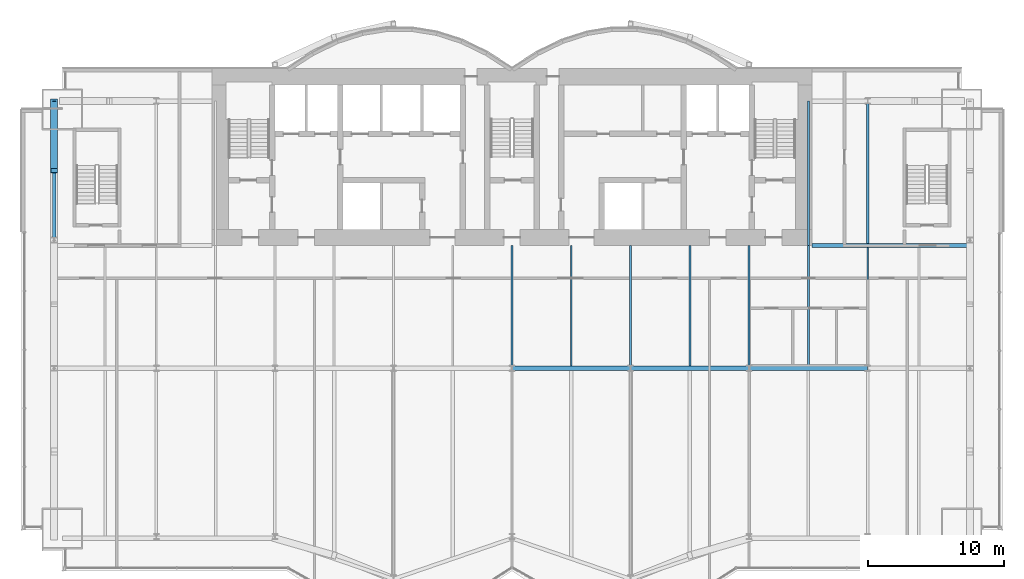
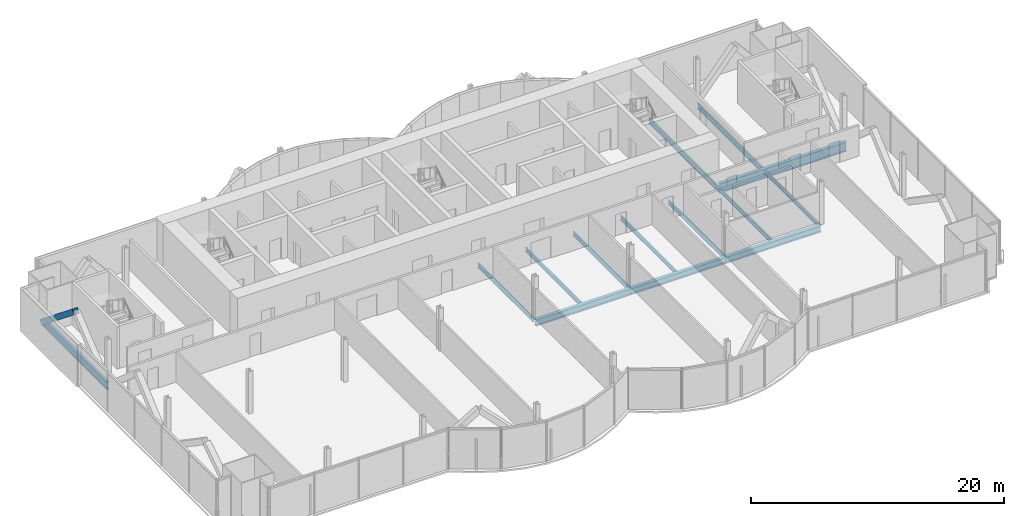
# One storey, part 9 of 21: 14 beams, 1 member.
"""IFC4 building model written with IfcOpenShell, lengths in metres."""

from ifc_helpers import new_model, si_unit, direction, frame, origin, origin_2d, place, context, subcontext, project, spatial, hollow_rectangle, i_section, extrude, material, material_profile, profile_set, type_object, element, save


model = new_model("IFC4")

# Units and contexts
model_context = context("Model", 3, precision=1e-05, world=origin(), true_north=direction((0.0, 1.0)))
body_context = subcontext(model_context, "Body", "Model", "MODEL_VIEW")
ifc_project = project(units=[si_unit("LENGTHUNIT", "METRE"), si_unit("AREAUNIT", "SQUARE_METRE"), si_unit("VOLUMEUNIT", "CUBIC_METRE"), si_unit("PLANEANGLEUNIT", "RADIAN"), si_unit("MASSUNIT", "GRAM", prefix="KILO")], contexts=[model_context])

# Site, building, storey
site_placement = place(None, origin())
site = spatial("IfcSite", under=ifc_project, at=site_placement, CompositionType="ELEMENT")
building_placement = place(site_placement, origin())
building = spatial("IfcBuilding", under=site, at=building_placement, Name="Bicima Exchange Tower", CompositionType="ELEMENT")
storey_placement = place(building_placement, frame((0.0, 0.0, 126.800048828125)))
storey = spatial("IfcBuildingStorey", under=building, at=storey_placement, Name="L27", CompositionType="ELEMENT", Elevation=126.800048828125)

# Beams
ifc_material_1 = material(Name="Steel ASTM A992 Gr 50", Category="steel")
ifc_material_profile_1 = material_profile(ifc_material_1, i_section(OverallWidth=0.3046875, OverallDepth=0.911865234375, WebThickness=0.015869140625, FlangeThickness=0.02392578125, at=origin_2d()))
ifc_profile_set_1 = profile_set([ifc_material_profile_1], Name="Steel ASTM A992 Gr 50")
beam_type_1 = type_object("IfcBeamType", Name="Core-line girder W36x150", PredefinedType="BEAM", material=ifc_profile_set_1)
beam_1_placement = place(storey_placement, frame((22.0, -13.0, -0.60595703125), z_axis=(1.0, 0.0, 0.0), x_axis=(0.0, 1.0, 0.0)))
element("IfcBeam", 1, at=beam_1_placement, inside=storey, type_object=beam_type_1, Name="Core-line girder", PredefinedType="BEAM", context=body_context, shape_type="SweptSolid", body=[
    extrude(i_section(OverallWidth=0.3046875, OverallDepth=0.911865234375, WebThickness=0.015869140625, FlangeThickness=0.02392578125, at=origin_2d()), origin(), (0.0, 0.0, 1.0), 11.60009765625),
])
ifc_material_profile_2 = material_profile(ifc_material_1, i_section(OverallWidth=0.256591796875, OverallDepth=0.693359375, WebThickness=0.014404296875, FlangeThickness=0.023681640625, at=origin_2d()))
ifc_profile_set_2 = profile_set([ifc_material_profile_2], Name="Steel ASTM A992 Gr 50")
beam_type_2 = type_object("IfcBeamType", Name="End girder W27x114", PredefinedType="BEAM", material=ifc_profile_set_2)
beam_2_placement = place(storey_placement, frame((-33.60009765625, -2.39990234375, -0.496826171875), z_axis=(0.0, -1.0, 0.0), x_axis=(1.0, 0.0, 0.0)))
element("IfcBeam", 2, at=beam_2_placement, inside=storey, type_object=beam_type_2, Name="End girder", PredefinedType="BEAM", context=body_context, shape_type="SweptSolid", body=[
    extrude(i_section(OverallWidth=0.256591796875, OverallDepth=0.693359375, WebThickness=0.014404296875, FlangeThickness=0.023681640625, at=origin_2d()), origin(), (0.0, 0.0, 1.0), 10.2001953125),
])
ifc_material_profile_3 = material_profile(ifc_material_1, i_section(OverallWidth=0.140380859375, OverallDepth=0.40380859375, WebThickness=0.007080078125, FlangeThickness=0.01123046875, at=origin_2d()))
ifc_profile_set_3 = profile_set([ifc_material_profile_3], Name="Steel ASTM A992 Gr 50")
beam_type_3 = type_object("IfcBeamType", Name="Floor beam W16x31", PredefinedType="JOIST", material=ifc_profile_set_3)
for number, where, z_axis, x_axis, name in (
    (3, (0.0, -13.0, -0.35205078125), (0.0, -1.0, 0.0), (1.0, 0.0, 0.0), "Floor beam"),
    (4, (4.35009765625, -13.0, -0.35205078125), (0.0, -1.0, 0.0), (1.0, 0.0, 0.0), "Floor beam"),
    (5, (8.699951171875, -13.0, -0.35205078125), (0.0, -1.0, 0.0), (1.0, 0.0, 0.0), "Floor beam"),
    (6, (13.050048828125, -13.0, -0.35205078125), (0.0, -1.0, 0.0), (1.0, 0.0, 0.0), "Floor beam"),
    (7, (17.39990234375, -13.0, -0.35205078125), (0.0, -1.0, 0.0), (1.0, 0.0, 0.0), "Floor beam"),
    (8, (21.75, -13.0, -0.35205078125), (0.0, -1.0, 0.0), (1.0, 0.0, 0.0), "Floor beam"),
):
    element("IfcBeam", number, at=place(storey_placement, frame(where, z_axis=z_axis, x_axis=x_axis)), inside=storey, type_object=beam_type_3, Name=name, PredefinedType="JOIST", context=body_context, shape_type="SweptSolid", body=[
        extrude(i_section(OverallWidth=0.140380859375, OverallDepth=0.40380859375, WebThickness=0.007080078125, FlangeThickness=0.01123046875, at=origin_2d()), origin(), (0.0, 0.0, 1.0), 8.83740234375),
    ])
beam_3_placement = place(storey_placement, frame((26.10009765625, -13.15234375, -0.35205078125), z_axis=(0.0, -1.0, 0.0), x_axis=(1.0, 0.0, 0.0)))
element("IfcBeam", 9, at=beam_3_placement, inside=storey, type_object=beam_type_3, Name="Floor beam", PredefinedType="JOIST", context=body_context, shape_type="SweptSolid", body=[
    extrude(i_section(OverallWidth=0.140380859375, OverallDepth=0.40380859375, WebThickness=0.007080078125, FlangeThickness=0.01123046875, at=origin_2d()), origin(), (0.0, 0.0, 1.0), 8.68505859375),
])
ifc_material_profile_4 = material_profile(ifc_material_1, i_section(OverallWidth=0.165771484375, OverallDepth=0.5283203125, WebThickness=0.009765625, FlangeThickness=0.013671875, at=origin_2d()))
ifc_profile_set_4 = profile_set([ifc_material_profile_4], Name="Steel ASTM A992 Gr 50")
beam_type_4 = type_object("IfcBeamType", Name="Floor beam W21x50", PredefinedType="JOIST", material=ifc_profile_set_4)
beam_4_placement = place(storey_placement, frame((21.75, -2.39990234375, -0.414306640625), z_axis=(0.0, -1.0, 0.0), x_axis=(1.0, 0.0, 0.0)))
element("IfcBeam", 10, at=beam_4_placement, inside=storey, type_object=beam_type_4, Name="Floor beam", PredefinedType="JOIST", context=body_context, shape_type="SweptSolid", body=[
    extrude(i_section(OverallWidth=0.165771484375, OverallDepth=0.5283203125, WebThickness=0.009765625, FlangeThickness=0.013671875, at=origin_2d()), origin(), (0.0, 0.0, 1.0), 10.60009765625),
])
beam_5_placement = place(storey_placement, frame((26.10009765625, -2.5625, -0.414306640625), z_axis=(0.0, -1.0, 0.0), x_axis=(1.0, 0.0, 0.0)))
element("IfcBeam", 11, at=beam_5_placement, inside=storey, type_object=beam_type_4, Name="Floor beam", PredefinedType="JOIST", context=body_context, shape_type="SweptSolid", body=[
    extrude(i_section(OverallWidth=0.165771484375, OverallDepth=0.5283203125, WebThickness=0.009765625, FlangeThickness=0.013671875, at=origin_2d()), origin(), (0.0, 0.0, 1.0), 10.28515625),
])

# Member
ifc_material_2 = material(Name="Steel ASTM A572 Gr 50", Category="steel")
ifc_material_profile_5 = material_profile(ifc_material_2, hollow_rectangle(XDim=0.508056640625, YDim=0.508056640625, WallThickness=0.0146484375, at=origin_2d()))
ifc_profile_set_5 = profile_set([ifc_material_profile_5], Name="Steel ASTM A572 Gr 50")
member_type = type_object("IfcMemberType", Name="Mega brace HSS20x20x5/8", PredefinedType="BRACE", material=ifc_profile_set_5)
member_placement = place(storey_placement, frame((-33.60009765625, -2.39990234375, -0.496826171875), z_axis=(0.0, -0.779374241895, 0.626558689247), x_axis=(1.0, 0.0, 0.0)))
element("IfcMember", 12, at=member_placement, inside=storey, type_object=member_type, Name="Mega brace west end", PredefinedType="BRACE", context=body_context, shape_type="SweptSolid", body=[
    extrude(hollow_rectangle(XDim=0.508056640625, YDim=0.508056640625, WallThickness=0.0146484375, at=origin_2d()), origin(), (0.0, 0.0, 1.0), 6.5439453125),
])

# Beams
ifc_material_profile_6 = material_profile(ifc_material_1, i_section(OverallWidth=0.3251953125, OverallDepth=0.612060546875, WebThickness=0.0126953125, FlangeThickness=0.01904296875, at=origin_2d()))
ifc_profile_set_6 = profile_set([ifc_material_profile_6], Name="Steel ASTM A992 Gr 50")
beam_type_5 = type_object("IfcBeamType", Name="Row girder W24x104", PredefinedType="BEAM", material=ifc_profile_set_6)
for number, where, z_axis, x_axis, name in (
    (13, (0.0, -22.0, -0.4560546875), (1.0, 0.0, 0.0), (0.0, 1.0, 0.0), "Row girder"),
    (14, (8.699951171875, -22.0, -0.4560546875), (1.0, 0.0, 0.0), (0.0, 1.0, 0.0), "Row girder"),
):
    element("IfcBeam", number, at=place(storey_placement, frame(where, z_axis=z_axis, x_axis=x_axis)), inside=storey, type_object=beam_type_5, Name=name, PredefinedType="BEAM", context=body_context, shape_type="SweptSolid", body=[
        extrude(i_section(OverallWidth=0.3251953125, OverallDepth=0.612060546875, WebThickness=0.0126953125, FlangeThickness=0.01904296875, at=origin_2d()), origin(), (0.0, 0.0, 1.0), 8.699951171875),
    ])
beam_6_placement = place(storey_placement, frame((17.39990234375, -22.0, -0.4560546875), z_axis=(1.0, 0.0, 0.0), x_axis=(0.0, 1.0, 0.0)))
element("IfcBeam", 15, at=beam_6_placement, inside=storey, type_object=beam_type_5, Name="Row girder", PredefinedType="BEAM", context=body_context, shape_type="SweptSolid", body=[
    extrude(i_section(OverallWidth=0.3251953125, OverallDepth=0.612060546875, WebThickness=0.0126953125, FlangeThickness=0.01904296875, at=origin_2d()), origin(), (0.0, 0.0, 1.0), 8.7001953125),
])

save(model, "model.ifc")
